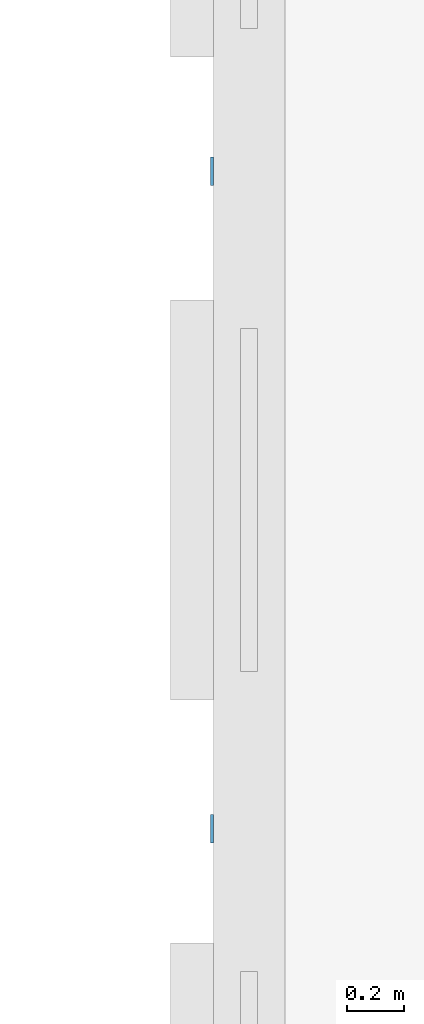
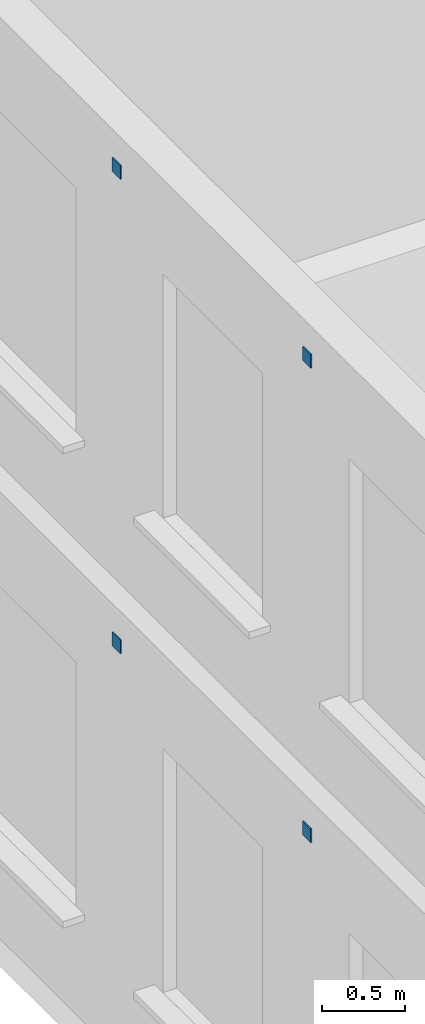
# One storey, part 92 of 103: 4 discrete accessories.
"""IFC4 building model written with IfcOpenShell, lengths in metres."""

from ifc_helpers import new_model, si_unit, direction, frame, origin, origin_2d, place, context, subcontext, project, spatial, rectangle, extrude, material, type_object, element, save


model = new_model("IFC4")

# Units and contexts
model_context = context("Model", 3, precision=1e-05, world=origin(), true_north=direction((0.0, 1.0)))
body_context = subcontext(model_context, "Body", "Model", "MODEL_VIEW")
ifc_project = project(units=[si_unit("LENGTHUNIT", "METRE"), si_unit("AREAUNIT", "SQUARE_METRE"), si_unit("VOLUMEUNIT", "CUBIC_METRE"), si_unit("PLANEANGLEUNIT", "RADIAN"), si_unit("MASSUNIT", "GRAM", prefix="KILO")], contexts=[model_context])

# Site, building, storey
site_placement = place(None, origin())
site = spatial("IfcSite", under=ifc_project, at=site_placement, CompositionType="ELEMENT")
building_placement = place(site_placement, origin())
building = spatial("IfcBuilding", under=site, at=building_placement, Name="Laocheng Heights Fire and Rescue Headquarters", CompositionType="ELEMENT")
storey_placement = place(building_placement, frame((0.0, 0.0, 4.199951171875)))
storey = spatial("IfcBuildingStorey", under=building, at=storey_placement, Name="L01", CompositionType="ELEMENT", Elevation=4.199951171875)

# Discrete accessories
ifc_material = material(Name="Steel Q355B", Category="steel")
discrete_accessory_type = type_object("IfcDiscreteAccessoryType", Name="DRILL STEEL ANCHOR PLATE 100 x 100 x 10", PredefinedType="USERDEFINED", material=ifc_material)
for number, where, z_axis, x_axis, name in (
    (1, (113.8701171875, 30.39990234375, 2.300048828125), (0.0, 0.0, 1.0), (1.0, 0.0, 0.0), "Anchor plate F2"),
    (2, (113.8701171875, 32.699951171875, 2.300048828125), (0.0, 0.0, 1.0), (1.0, 0.0, 0.0), "Anchor plate F2"),
    (3, (113.8701171875, 30.39990234375, 5.800048828125), (0.0, 0.0, 1.0), (1.0, 0.0, 0.0), "Anchor plate F3"),
    (4, (113.8701171875, 32.699951171875, 5.800048828125), (0.0, 0.0, 1.0), (1.0, 0.0, 0.0), "Anchor plate F3"),
):
    element("IfcDiscreteAccessory", number, at=place(storey_placement, frame(where, z_axis=z_axis, x_axis=x_axis)), inside=storey, type_object=discrete_accessory_type, Name=name, ObjectType="ANCHOR PLATE", PredefinedType="USERDEFINED", context=body_context, shape_type="SweptSolid", body=[
        extrude(rectangle(XDim=0.010009765625, YDim=0.10009765625, at=origin_2d()), origin(), (0.0, 0.0, 1.0), 0.10009765625),
    ])

save(model, "model.ifc")
